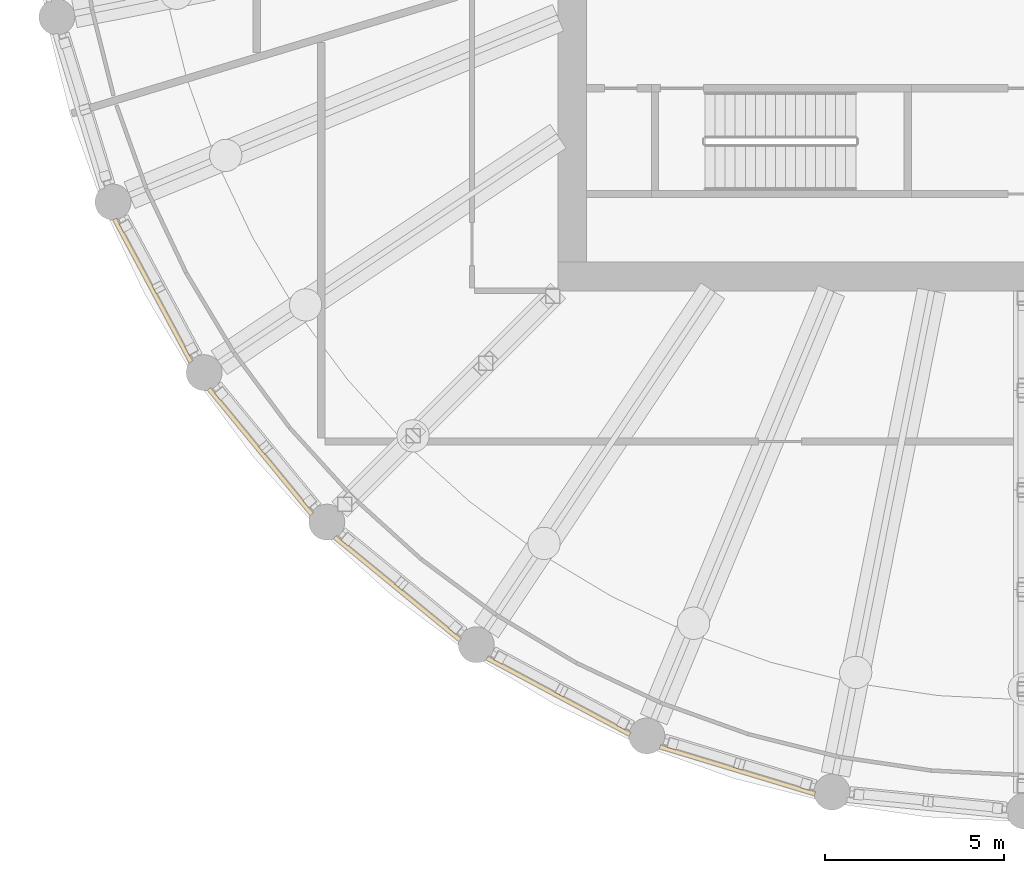
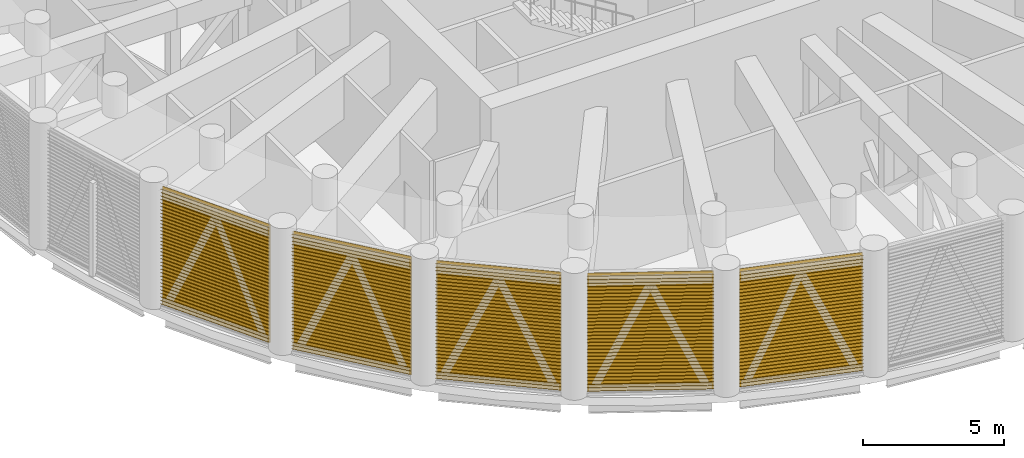
# One storey, part 17 of 24: 5 shading devices, 5 elements without a shape of their own.
"""IFC4 building model written with IfcOpenShell, lengths in metres."""

import ifcopenshell
import ifcopenshell.guid

model = None  # the IFC model being written
_history = None  # IfcOwnerHistory: only IFC2X3 demands one
_inside = {}  # id of a spatial element -> (the spatial element, [elements in it])
_under = {}  # id of a project, library or spatial element -> (it, [spatial elements below it])
_declared = {}  # id of a project -> (the project, [libraries it declares])
_typed = {}  # id of a type object -> (the type object, [elements of that type])
_made_of = {}  # id of a material, layer set ... -> (it, [elements and type objects made of it])


def new_model(schema):
    """Start an empty IFC model of exactly this schema.

    Asked for "IFC4X3", IfcOpenShell would pick the latest addendum, in which some entities
    have other attributes; the version numbers below select the first issue.
    IFC2X3 requires an IfcOwnerHistory on every rooted entity: one is made here for all.
    """
    global model, _history
    if schema == "IFC4X3":
        model = ifcopenshell.file(schema_version=(4, 3, 0, 0))
    else:
        model = ifcopenshell.file(schema=schema)
    _inside.clear()
    _under.clear()
    _declared.clear()
    _typed.clear()
    _made_of.clear()
    _history = None
    if model.schema == "IFC2X3":
        org = make("IfcOrganization", Name="unknown")
        user = make(
            "IfcPersonAndOrganization",
            ThePerson=make("IfcPerson", FamilyName="unknown"),
            TheOrganization=org,
        )
        app = make(
            "IfcApplication",
            ApplicationDeveloper=org,
            Version="unknown",
            ApplicationFullName="unknown",
            ApplicationIdentifier="unknown",
        )
        _history = make(
            "IfcOwnerHistory",
            OwningUser=user,
            OwningApplication=app,
            ChangeAction="ADDED",
            CreationDate=0,
        )
    return model


def make(cls, **values):
    """One entity of the class cls with the attributes given. An attribute that is None is left unset."""
    return model.create_entity(
        cls, **{name: value for name, value in values.items() if value is not None}
    )


def rooted(cls, **values):
    """An entity with a GlobalId (a new one), such as an element, a storey or a relation."""
    return make(cls, GlobalId=ifcopenshell.guid.new(), OwnerHistory=_history, **values)


def si_unit(unit_type, name, prefix=None):
    """IfcSIUnit, for example si_unit("LENGTHUNIT", "METRE", prefix="MILLI")."""
    return make("IfcSIUnit", UnitType=unit_type, Prefix=prefix, Name=name)


def assignment(units):
    """IfcUnitAssignment: the units of a project."""
    return None if units is None else make("IfcUnitAssignment", Units=units)


def point(xyz):
    """IfcCartesianPoint."""
    return None if xyz is None else make("IfcCartesianPoint", Coordinates=xyz)


def direction(xyz):
    """IfcDirection."""
    return None if xyz is None else make("IfcDirection", DirectionRatios=xyz)


def frame(location, z_axis=None, x_axis=None):
    """IfcAxis2Placement3D, a coordinate frame: its origin and axes. An axis left out is left unset."""
    return make(
        "IfcAxis2Placement3D",
        Location=point(location),
        Axis=direction(z_axis),
        RefDirection=direction(x_axis),
    )


def origin():
    """The frame at (0, 0, 0) with its axes left unset."""
    return frame((0.0, 0.0, 0.0))


def place(relative_to, where):
    """IfcLocalPlacement: puts the frame where relative to a parent placement (None: the world)."""
    return make(
        "IfcLocalPlacement", PlacementRelTo=relative_to, RelativePlacement=where
    )


def context(
    kind, dimensions, precision=None, world=None, true_north=None, identifier=None
):
    """IfcGeometricRepresentationContext, for example the 3D "Model" context."""
    return make(
        "IfcGeometricRepresentationContext",
        ContextIdentifier=identifier,
        ContextType=kind,
        CoordinateSpaceDimension=dimensions,
        Precision=precision,
        WorldCoordinateSystem=world,
        TrueNorth=true_north,
    )


def subcontext(parent, identifier, kind, view, scale=None):
    """IfcGeometricRepresentationSubContext, for example "Body" below "Model"."""
    return make(
        "IfcGeometricRepresentationSubContext",
        ContextIdentifier=identifier,
        ContextType=kind,
        ParentContext=parent,
        TargetScale=scale,
        TargetView=view,
    )


def project(units=None, contexts=None):
    """IfcProject with its units and contexts."""
    return rooted(
        "IfcProject",
        Name="project",
        RepresentationContexts=contexts,
        UnitsInContext=assignment(units),
    )


def spatial(cls, under=None, at=None, **own):
    """A site, building, storey or space (cls), placed at a placement, below another one or the project."""
    s = rooted(cls, ObjectPlacement=at, **own)
    if under is not None:
        _under.setdefault(under.id(), (under, []))[1].append(s)
    return s


def polyline(points):
    """IfcPolyline through the points."""
    return make("IfcPolyline", Points=[point(p) for p in points])


def outline(outer, holes=None, kind="AREA"):
    """IfcArbitraryClosedProfileDef: a profile drawn as a closed curve; with holes, ...WithVoids."""
    if holes is None:
        return make("IfcArbitraryClosedProfileDef", ProfileType=kind, OuterCurve=outer)
    return make(
        "IfcArbitraryProfileDefWithVoids",
        ProfileType=kind,
        OuterCurve=outer,
        InnerCurves=holes,
    )


def extrude(swept, where, along, depth):
    """IfcExtrudedAreaSolid: the profile swept, set in the frame where, extruded along a direction by depth."""
    return make(
        "IfcExtrudedAreaSolid",
        SweptArea=swept,
        Position=where,
        ExtrudedDirection=direction(along),
        Depth=depth,
    )


def shape(context_of_items, identifier, shape_type, items):
    """IfcShapeRepresentation: the items that make up one representation, for example the "Body"."""
    return make(
        "IfcShapeRepresentation",
        ContextOfItems=context_of_items,
        RepresentationIdentifier=identifier,
        RepresentationType=shape_type,
        Items=items,
    )


def material(Name=None, Category=None):
    """IfcMaterial."""
    return make("IfcMaterial", Name=Name, Category=Category)


def material_profile(
    of_material, cross_section, Name=None, Category=None, Priority=None
):
    """IfcMaterialProfile: a cross section and its material."""
    return make(
        "IfcMaterialProfile",
        Name=Name,
        Material=of_material,
        Profile=cross_section,
        Priority=Priority,
        Category=Category,
    )


def profile_set(profiles, Name=None, composite=None):
    """IfcMaterialProfileSet."""
    return make(
        "IfcMaterialProfileSet",
        Name=Name,
        MaterialProfiles=profiles,
        CompositeProfile=composite,
    )


def made_of(thing, what):
    """Note that an element or type object is made of a material, layer set ...; save() writes the relation."""
    if what is not None:
        _made_of.setdefault(what.id(), (what, []))[1].append(thing)
    return thing


def type_object(cls, material=None, **own):
    """A type object (cls), such as IfcWallType, which elements share."""
    return made_of(rooted(cls, **own), material)


def element(
    cls,
    number,
    at=None,
    inside=None,
    cuts=None,
    type_object=None,
    material=None,
    context=None,
    identifier="Body",
    shape_type=None,
    held_by="IfcProductDefinitionShape",
    body=None,
    shapes=None,
    **own,
):
    """One element of the class cls, such as IfcWall. Its Tag is "e" and its number.

    at: its placement. inside: the storey or other place that contains it. cuts: it is an
    opening in that element (IfcRelVoidsElement). A single representation is given by context,
    identifier, shape_type and body (its items); several are given by shapes. held_by: the class
    of the entity that holds the representations. save() writes the other relations.
    """
    e = rooted(cls, Tag="e%d" % number, ObjectPlacement=at, **own)
    if body is not None:
        shapes = [shape(context, identifier, shape_type, body)]
    if shapes is not None:
        e.Representation = make(held_by, Representations=shapes)
    if inside is not None:
        _inside.setdefault(inside.id(), (inside, []))[1].append(e)
    if cuts is not None:
        rooted(
            "IfcRelVoidsElement", RelatingBuildingElement=cuts, RelatedOpeningElement=e
        )
    if type_object is not None:
        _typed.setdefault(type_object.id(), (type_object, []))[1].append(e)
    return made_of(e, material)


def aggregate(whole, parts):
    """IfcRelAggregates: a whole, such as a stair, and the parts it consists of."""
    return rooted("IfcRelAggregates", RelatingObject=whole, RelatedObjects=parts)


def save(model, path):
    """Write the relations noted so far, then the file.

    IfcRelAggregates (storeys below a building ...), IfcRelContainedInSpatialStructure (elements
    in a storey), IfcRelDefinesByType, IfcRelAssociatesMaterial and IfcRelDeclares: one each for
    every whole, place, type object, material and project.
    """
    for whole, parts in _under.values():
        aggregate(whole, parts)
    for where, things in _inside.values():
        rooted(
            "IfcRelContainedInSpatialStructure",
            RelatedElements=things,
            RelatingStructure=where,
        )
    for kind, things in _typed.values():
        rooted("IfcRelDefinesByType", RelatedObjects=things, RelatingType=kind)
    for what, things in _made_of.values():
        rooted("IfcRelAssociatesMaterial", RelatedObjects=things, RelatingMaterial=what)
    for by, libraries in _declared.values():
        rooted("IfcRelDeclares", RelatingContext=by, RelatedDefinitions=libraries)
    model.write(path)


model = new_model("IFC4")

# Units and contexts
model_context = context("Model", 3, precision=1e-05, world=origin(), true_north=direction((0.0, 1.0)))
body_context = subcontext(model_context, "Body", "Model", "MODEL_VIEW")
ifc_project = project(units=[si_unit("LENGTHUNIT", "METRE"), si_unit("AREAUNIT", "SQUARE_METRE"), si_unit("VOLUMEUNIT", "CUBIC_METRE"), si_unit("PLANEANGLEUNIT", "RADIAN"), si_unit("MASSUNIT", "GRAM", prefix="KILO")], contexts=[model_context])

# Site, building, storey
site_placement = place(None, origin())
site = spatial("IfcSite", under=ifc_project, at=site_placement, CompositionType="ELEMENT")
building_placement = place(site_placement, origin())
building = spatial("IfcBuilding", under=site, at=building_placement, Name="Corvane Civic Tower", CompositionType="ELEMENT")
storey_placement = place(building_placement, frame((0.0, 0.0, 257.5)))
storey = spatial("IfcBuildingStorey", under=building, at=storey_placement, Name="L61", CompositionType="ELEMENT", Elevation=257.5)

# Curtain wall, shading device
ifc_material_1 = material(Name="Anodised aluminium bronze", Category="aluminium")
curtain_wall_type = type_object("IfcCurtainWallType", Name="TOWER CW-LV LOUVRE SCREEN WALL", PredefinedType="NOTDEFINED", material=ifc_material_1)
curtain_wall_1_placement = place(storey_placement, origin())
curtain_wall_1 = element("IfcCurtainWall", 1, at=curtain_wall_1_placement, inside=storey, type_object=curtain_wall_type, Name="Louvre screen wall CW-LV L61 bay 18", PredefinedType="NOTDEFINED")
ifc_material_2 = material(Name="Anodised aluminium bronze", Category="aluminium")
ifc_material_profile = material_profile(ifc_material_2, outline(polyline([(-0.06005859375, -2.56494140625), (-0.0400390625, -2.56494140625), (0.06005859375, -2.492919921875), (0.06005859375, -2.472900390625), (-0.0400390625, -2.544921875), (-0.0400390625, -2.4140625), (0.06005859375, -2.342041015625), (0.06005859375, -2.322021484375), (-0.0400390625, -2.39404296875), (-0.0400390625, -2.26318359375), (0.06005859375, -2.191162109375), (0.06005859375, -2.171142578125), (-0.0400390625, -2.2431640625), (-0.0400390625, -2.1123046875), (0.06005859375, -2.040283203125), (0.06005859375, -2.0205078125), (-0.0400390625, -2.09228515625), (-0.0400390625, -1.96142578125), (0.06005859375, -1.889404296875), (0.06005859375, -1.869384765625), (-0.0400390625, -1.94140625), (-0.0400390625, -1.810546875), (0.06005859375, -1.738525390625), (0.06005859375, -1.718505859375), (-0.0400390625, -1.79052734375), (-0.0400390625, -1.65966796875), (0.06005859375, -1.587646484375), (0.06005859375, -1.567626953125), (-0.0400390625, -1.6396484375), (-0.0400390625, -1.5087890625), (0.06005859375, -1.436767578125), (0.06005859375, -1.416748046875), (-0.0400390625, -1.48876953125), (-0.0400390625, -1.35791015625), (0.06005859375, -1.285888671875), (0.06005859375, -1.265869140625), (-0.0400390625, -1.337890625), (-0.0400390625, -1.20703125), (0.06005859375, -1.135009765625), (0.06005859375, -1.114990234375), (-0.0400390625, -1.18701171875), (-0.0400390625, -1.05615234375), (0.06005859375, -0.984130859375), (0.06005859375, -0.964111328125), (-0.0400390625, -1.0361328125), (-0.0400390625, -0.9052734375), (0.06005859375, -0.833251953125), (0.06005859375, -0.813232421875), (-0.0400390625, -0.88525390625), (-0.0400390625, -0.75439453125), (0.06005859375, -0.682373046875), (0.06005859375, -0.662353515625), (-0.0400390625, -0.734375), (-0.0400390625, -0.603515625), (0.06005859375, -0.531494140625), (0.06005859375, -0.511474609375), (-0.0400390625, -0.58349609375), (-0.0400390625, -0.45263671875), (0.06005859375, -0.380615234375), (0.06005859375, -0.360595703125), (-0.0400390625, -0.4326171875), (-0.0400390625, -0.3017578125), (0.06005859375, -0.229736328125), (0.06005859375, -0.209716796875), (-0.0400390625, -0.28173828125), (-0.0400390625, -0.15087890625), (0.06005859375, -0.078857421875), (0.06005859375, -0.058837890625), (-0.0400390625, -0.130859375), (-0.0400390625, 0.0), (0.06005859375, 0.072021484375), (0.06005859375, 0.092041015625), (-0.0400390625, 0.02001953125), (-0.0400390625, 0.15087890625), (0.06005859375, 0.222900390625), (0.06005859375, 0.242919921875), (-0.0400390625, 0.1708984375), (-0.0400390625, 0.3017578125), (0.06005859375, 0.373779296875), (0.06005859375, 0.393798828125), (-0.0400390625, 0.32177734375), (-0.0400390625, 0.45263671875), (0.06005859375, 0.524658203125), (0.06005859375, 0.544677734375), (-0.0400390625, 0.47265625), (-0.0400390625, 0.603515625), (0.06005859375, 0.675537109375), (0.06005859375, 0.695556640625), (-0.0400390625, 0.62353515625), (-0.0400390625, 0.75439453125), (0.06005859375, 0.826416015625), (0.06005859375, 0.846435546875), (-0.0400390625, 0.7744140625), (-0.0400390625, 0.9052734375), (0.06005859375, 0.977294921875), (0.06005859375, 0.997314453125), (-0.0400390625, 0.92529296875), (-0.0400390625, 1.05615234375), (0.06005859375, 1.128173828125), (0.06005859375, 1.148193359375), (-0.0400390625, 1.076171875), (-0.0400390625, 1.20703125), (0.06005859375, 1.279052734375), (0.06005859375, 1.299072265625), (-0.0400390625, 1.22705078125), (-0.0400390625, 1.35791015625), (0.06005859375, 1.429931640625), (0.06005859375, 1.449951171875), (-0.0400390625, 1.3779296875), (-0.0400390625, 1.5087890625), (0.06005859375, 1.580810546875), (0.06005859375, 1.600830078125), (-0.0400390625, 1.52880859375), (-0.0400390625, 1.65966796875), (0.06005859375, 1.731689453125), (0.06005859375, 1.751708984375), (-0.0400390625, 1.6796875), (-0.0400390625, 1.810546875), (0.06005859375, 1.882568359375), (0.06005859375, 1.902587890625), (-0.0400390625, 1.83056640625), (-0.0400390625, 1.96142578125), (0.06005859375, 2.033447265625), (0.06005859375, 2.053466796875), (-0.0400390625, 1.9814453125), (-0.0400390625, 2.1123046875), (0.06005859375, 2.184326171875), (0.06005859375, 2.204345703125), (-0.0400390625, 2.13232421875), (-0.0400390625, 2.26318359375), (0.06005859375, 2.335205078125), (0.06005859375, 2.355224609375), (-0.0400390625, 2.283203125), (-0.0400390625, 2.4140625), (0.06005859375, 2.486083984375), (0.06005859375, 2.506103515625), (-0.0400390625, 2.43408203125), (-0.0400390625, 2.56494140625), (-0.06005859375, 2.56494140625), (-0.06005859375, -2.56494140625)])), Name="TOWER LOUVRE BANK 5130 BRONZE")
ifc_profile_set = profile_set([ifc_material_profile], Name="Anodised aluminium bronze")
shading_device_type = type_object("IfcShadingDeviceType", Name="TOWER LOUVRE BANK 5130 BRONZE", PredefinedType="USERDEFINED", material=ifc_profile_set)
shading_device_1_placement = place(storey_placement, frame((-5.8349609375, -27.016357421875, 2.68505859375), z_axis=(-0.956941182173, 0.2902818869, 0.0), x_axis=(-0.2902818869, -0.956941182173, 0.0)))
shading_device_1 = element("IfcShadingDevice", 2, at=shading_device_1_placement, type_object=shading_device_type, Name="Louvre bank L61 18.1", ObjectType="LOUVRE", PredefinedType="USERDEFINED", context=body_context, shape_type="SweptSolid", body=[
    extrude(outline(polyline([(-0.06005859375, -2.56494140625), (-0.0400390625, -2.56494140625), (0.06005859375, -2.492919921875), (0.06005859375, -2.472900390625), (-0.0400390625, -2.544921875), (-0.0400390625, -2.4140625), (0.06005859375, -2.342041015625), (0.06005859375, -2.322021484375), (-0.0400390625, -2.39404296875), (-0.0400390625, -2.26318359375), (0.06005859375, -2.191162109375), (0.06005859375, -2.171142578125), (-0.0400390625, -2.2431640625), (-0.0400390625, -2.1123046875), (0.06005859375, -2.040283203125), (0.06005859375, -2.0205078125), (-0.0400390625, -2.09228515625), (-0.0400390625, -1.96142578125), (0.06005859375, -1.889404296875), (0.06005859375, -1.869384765625), (-0.0400390625, -1.94140625), (-0.0400390625, -1.810546875), (0.06005859375, -1.738525390625), (0.06005859375, -1.718505859375), (-0.0400390625, -1.79052734375), (-0.0400390625, -1.65966796875), (0.06005859375, -1.587646484375), (0.06005859375, -1.567626953125), (-0.0400390625, -1.6396484375), (-0.0400390625, -1.5087890625), (0.06005859375, -1.436767578125), (0.06005859375, -1.416748046875), (-0.0400390625, -1.48876953125), (-0.0400390625, -1.35791015625), (0.06005859375, -1.285888671875), (0.06005859375, -1.265869140625), (-0.0400390625, -1.337890625), (-0.0400390625, -1.20703125), (0.06005859375, -1.135009765625), (0.06005859375, -1.114990234375), (-0.0400390625, -1.18701171875), (-0.0400390625, -1.05615234375), (0.06005859375, -0.984130859375), (0.06005859375, -0.964111328125), (-0.0400390625, -1.0361328125), (-0.0400390625, -0.9052734375), (0.06005859375, -0.833251953125), (0.06005859375, -0.813232421875), (-0.0400390625, -0.88525390625), (-0.0400390625, -0.75439453125), (0.06005859375, -0.682373046875), (0.06005859375, -0.662353515625), (-0.0400390625, -0.734375), (-0.0400390625, -0.603515625), (0.06005859375, -0.531494140625), (0.06005859375, -0.511474609375), (-0.0400390625, -0.58349609375), (-0.0400390625, -0.45263671875), (0.06005859375, -0.380615234375), (0.06005859375, -0.360595703125), (-0.0400390625, -0.4326171875), (-0.0400390625, -0.3017578125), (0.06005859375, -0.229736328125), (0.06005859375, -0.209716796875), (-0.0400390625, -0.28173828125), (-0.0400390625, -0.15087890625), (0.06005859375, -0.078857421875), (0.06005859375, -0.058837890625), (-0.0400390625, -0.130859375), (-0.0400390625, 0.0), (0.06005859375, 0.072021484375), (0.06005859375, 0.092041015625), (-0.0400390625, 0.02001953125), (-0.0400390625, 0.15087890625), (0.06005859375, 0.222900390625), (0.06005859375, 0.242919921875), (-0.0400390625, 0.1708984375), (-0.0400390625, 0.3017578125), (0.06005859375, 0.373779296875), (0.06005859375, 0.393798828125), (-0.0400390625, 0.32177734375), (-0.0400390625, 0.45263671875), (0.06005859375, 0.524658203125), (0.06005859375, 0.544677734375), (-0.0400390625, 0.47265625), (-0.0400390625, 0.603515625), (0.06005859375, 0.675537109375), (0.06005859375, 0.695556640625), (-0.0400390625, 0.62353515625), (-0.0400390625, 0.75439453125), (0.06005859375, 0.826416015625), (0.06005859375, 0.846435546875), (-0.0400390625, 0.7744140625), (-0.0400390625, 0.9052734375), (0.06005859375, 0.977294921875), (0.06005859375, 0.997314453125), (-0.0400390625, 0.92529296875), (-0.0400390625, 1.05615234375), (0.06005859375, 1.128173828125), (0.06005859375, 1.148193359375), (-0.0400390625, 1.076171875), (-0.0400390625, 1.20703125), (0.06005859375, 1.279052734375), (0.06005859375, 1.299072265625), (-0.0400390625, 1.22705078125), (-0.0400390625, 1.35791015625), (0.06005859375, 1.429931640625), (0.06005859375, 1.449951171875), (-0.0400390625, 1.3779296875), (-0.0400390625, 1.5087890625), (0.06005859375, 1.580810546875), (0.06005859375, 1.600830078125), (-0.0400390625, 1.52880859375), (-0.0400390625, 1.65966796875), (0.06005859375, 1.731689453125), (0.06005859375, 1.751708984375), (-0.0400390625, 1.6796875), (-0.0400390625, 1.810546875), (0.06005859375, 1.882568359375), (0.06005859375, 1.902587890625), (-0.0400390625, 1.83056640625), (-0.0400390625, 1.96142578125), (0.06005859375, 2.033447265625), (0.06005859375, 2.053466796875), (-0.0400390625, 1.9814453125), (-0.0400390625, 2.1123046875), (0.06005859375, 2.184326171875), (0.06005859375, 2.204345703125), (-0.0400390625, 2.13232421875), (-0.0400390625, 2.26318359375), (0.06005859375, 2.335205078125), (0.06005859375, 2.355224609375), (-0.0400390625, 2.283203125), (-0.0400390625, 2.4140625), (0.06005859375, 2.486083984375), (0.06005859375, 2.506103515625), (-0.0400390625, 2.43408203125), (-0.0400390625, 2.56494140625), (-0.06005859375, 2.56494140625), (-0.06005859375, -2.56494140625)])), origin(), (0.0, 0.0, 1.0), 4.517333984375),
])
aggregate(curtain_wall_1, [shading_device_1])

curtain_wall_2_placement = place(storey_placement, origin())
curtain_wall_2 = element("IfcCurtainWall", 3, at=curtain_wall_2_placement, inside=storey, type_object=curtain_wall_type, Name="Louvre screen wall CW-LV L61 bay 19", PredefinedType="NOTDEFINED")
shading_device_2_placement = place(storey_placement, frame((-10.993408203125, -25.35888671875, 2.68505859375), z_axis=(-0.881924695689, 0.471390317183, 0.0), x_axis=(-0.471390317183, -0.881924695689, 0.0)))
shading_device_2 = element("IfcShadingDevice", 4, at=shading_device_2_placement, type_object=shading_device_type, Name="Louvre bank L61 19.1", ObjectType="LOUVRE", PredefinedType="USERDEFINED", context=body_context, shape_type="SweptSolid", body=[
    extrude(outline(polyline([(-0.06005859375, -2.56494140625), (-0.0400390625, -2.56494140625), (0.06005859375, -2.492919921875), (0.06005859375, -2.472900390625), (-0.0400390625, -2.544921875), (-0.0400390625, -2.4140625), (0.06005859375, -2.342041015625), (0.06005859375, -2.322021484375), (-0.0400390625, -2.39404296875), (-0.0400390625, -2.26318359375), (0.06005859375, -2.191162109375), (0.06005859375, -2.171142578125), (-0.0400390625, -2.2431640625), (-0.0400390625, -2.1123046875), (0.06005859375, -2.040283203125), (0.06005859375, -2.0205078125), (-0.0400390625, -2.09228515625), (-0.0400390625, -1.96142578125), (0.06005859375, -1.889404296875), (0.06005859375, -1.869384765625), (-0.0400390625, -1.94140625), (-0.0400390625, -1.810546875), (0.06005859375, -1.738525390625), (0.06005859375, -1.718505859375), (-0.0400390625, -1.79052734375), (-0.0400390625, -1.65966796875), (0.06005859375, -1.587646484375), (0.06005859375, -1.567626953125), (-0.0400390625, -1.6396484375), (-0.0400390625, -1.5087890625), (0.06005859375, -1.436767578125), (0.06005859375, -1.416748046875), (-0.0400390625, -1.48876953125), (-0.0400390625, -1.35791015625), (0.06005859375, -1.285888671875), (0.06005859375, -1.265869140625), (-0.0400390625, -1.337890625), (-0.0400390625, -1.20703125), (0.06005859375, -1.135009765625), (0.06005859375, -1.114990234375), (-0.0400390625, -1.18701171875), (-0.0400390625, -1.05615234375), (0.06005859375, -0.984130859375), (0.06005859375, -0.964111328125), (-0.0400390625, -1.0361328125), (-0.0400390625, -0.9052734375), (0.06005859375, -0.833251953125), (0.06005859375, -0.813232421875), (-0.0400390625, -0.88525390625), (-0.0400390625, -0.75439453125), (0.06005859375, -0.682373046875), (0.06005859375, -0.662353515625), (-0.0400390625, -0.734375), (-0.0400390625, -0.603515625), (0.06005859375, -0.531494140625), (0.06005859375, -0.511474609375), (-0.0400390625, -0.58349609375), (-0.0400390625, -0.45263671875), (0.06005859375, -0.380615234375), (0.06005859375, -0.360595703125), (-0.0400390625, -0.4326171875), (-0.0400390625, -0.3017578125), (0.06005859375, -0.229736328125), (0.06005859375, -0.209716796875), (-0.0400390625, -0.28173828125), (-0.0400390625, -0.15087890625), (0.06005859375, -0.078857421875), (0.06005859375, -0.058837890625), (-0.0400390625, -0.130859375), (-0.0400390625, 0.0), (0.06005859375, 0.072021484375), (0.06005859375, 0.092041015625), (-0.0400390625, 0.02001953125), (-0.0400390625, 0.15087890625), (0.06005859375, 0.222900390625), (0.06005859375, 0.242919921875), (-0.0400390625, 0.1708984375), (-0.0400390625, 0.3017578125), (0.06005859375, 0.373779296875), (0.06005859375, 0.393798828125), (-0.0400390625, 0.32177734375), (-0.0400390625, 0.45263671875), (0.06005859375, 0.524658203125), (0.06005859375, 0.544677734375), (-0.0400390625, 0.47265625), (-0.0400390625, 0.603515625), (0.06005859375, 0.675537109375), (0.06005859375, 0.695556640625), (-0.0400390625, 0.62353515625), (-0.0400390625, 0.75439453125), (0.06005859375, 0.826416015625), (0.06005859375, 0.846435546875), (-0.0400390625, 0.7744140625), (-0.0400390625, 0.9052734375), (0.06005859375, 0.977294921875), (0.06005859375, 0.997314453125), (-0.0400390625, 0.92529296875), (-0.0400390625, 1.05615234375), (0.06005859375, 1.128173828125), (0.06005859375, 1.148193359375), (-0.0400390625, 1.076171875), (-0.0400390625, 1.20703125), (0.06005859375, 1.279052734375), (0.06005859375, 1.299072265625), (-0.0400390625, 1.22705078125), (-0.0400390625, 1.35791015625), (0.06005859375, 1.429931640625), (0.06005859375, 1.449951171875), (-0.0400390625, 1.3779296875), (-0.0400390625, 1.5087890625), (0.06005859375, 1.580810546875), (0.06005859375, 1.600830078125), (-0.0400390625, 1.52880859375), (-0.0400390625, 1.65966796875), (0.06005859375, 1.731689453125), (0.06005859375, 1.751708984375), (-0.0400390625, 1.6796875), (-0.0400390625, 1.810546875), (0.06005859375, 1.882568359375), (0.06005859375, 1.902587890625), (-0.0400390625, 1.83056640625), (-0.0400390625, 1.96142578125), (0.06005859375, 2.033447265625), (0.06005859375, 2.053466796875), (-0.0400390625, 1.9814453125), (-0.0400390625, 2.1123046875), (0.06005859375, 2.184326171875), (0.06005859375, 2.204345703125), (-0.0400390625, 2.13232421875), (-0.0400390625, 2.26318359375), (0.06005859375, 2.335205078125), (0.06005859375, 2.355224609375), (-0.0400390625, 2.283203125), (-0.0400390625, 2.4140625), (0.06005859375, 2.486083984375), (0.06005859375, 2.506103515625), (-0.0400390625, 2.43408203125), (-0.0400390625, 2.56494140625), (-0.06005859375, 2.56494140625), (-0.06005859375, -2.56494140625)])), origin(), (0.0, 0.0, 1.0), 4.517333984375),
])
aggregate(curtain_wall_2, [shading_device_2])

curtain_wall_3_placement = place(storey_placement, origin())
curtain_wall_3 = element("IfcCurtainWall", 5, at=curtain_wall_3_placement, inside=storey, type_object=curtain_wall_type, Name="Louvre screen wall CW-LV L61 bay 20", PredefinedType="NOTDEFINED")
shading_device_3_placement = place(storey_placement, frame((-15.7294921875, -22.726806640625, 2.68505859375), z_axis=(-0.773014925698, 0.634387834569, 0.0), x_axis=(-0.634387834569, -0.773014925698, 0.0)))
shading_device_3 = element("IfcShadingDevice", 6, at=shading_device_3_placement, type_object=shading_device_type, Name="Louvre bank L61 20.1", ObjectType="LOUVRE", PredefinedType="USERDEFINED", context=body_context, shape_type="SweptSolid", body=[
    extrude(outline(polyline([(-0.06005859375, -2.56494140625), (-0.0400390625, -2.56494140625), (0.06005859375, -2.492919921875), (0.06005859375, -2.472900390625), (-0.0400390625, -2.544921875), (-0.0400390625, -2.4140625), (0.06005859375, -2.342041015625), (0.06005859375, -2.322021484375), (-0.0400390625, -2.39404296875), (-0.0400390625, -2.26318359375), (0.06005859375, -2.191162109375), (0.06005859375, -2.171142578125), (-0.0400390625, -2.2431640625), (-0.0400390625, -2.1123046875), (0.06005859375, -2.040283203125), (0.06005859375, -2.0205078125), (-0.0400390625, -2.09228515625), (-0.0400390625, -1.96142578125), (0.06005859375, -1.889404296875), (0.06005859375, -1.869384765625), (-0.0400390625, -1.94140625), (-0.0400390625, -1.810546875), (0.06005859375, -1.738525390625), (0.06005859375, -1.718505859375), (-0.0400390625, -1.79052734375), (-0.0400390625, -1.65966796875), (0.06005859375, -1.587646484375), (0.06005859375, -1.567626953125), (-0.0400390625, -1.6396484375), (-0.0400390625, -1.5087890625), (0.06005859375, -1.436767578125), (0.06005859375, -1.416748046875), (-0.0400390625, -1.48876953125), (-0.0400390625, -1.35791015625), (0.06005859375, -1.285888671875), (0.06005859375, -1.265869140625), (-0.0400390625, -1.337890625), (-0.0400390625, -1.20703125), (0.06005859375, -1.135009765625), (0.06005859375, -1.114990234375), (-0.0400390625, -1.18701171875), (-0.0400390625, -1.05615234375), (0.06005859375, -0.984130859375), (0.06005859375, -0.964111328125), (-0.0400390625, -1.0361328125), (-0.0400390625, -0.9052734375), (0.06005859375, -0.833251953125), (0.06005859375, -0.813232421875), (-0.0400390625, -0.88525390625), (-0.0400390625, -0.75439453125), (0.06005859375, -0.682373046875), (0.06005859375, -0.662353515625), (-0.0400390625, -0.734375), (-0.0400390625, -0.603515625), (0.06005859375, -0.531494140625), (0.06005859375, -0.511474609375), (-0.0400390625, -0.58349609375), (-0.0400390625, -0.45263671875), (0.06005859375, -0.380615234375), (0.06005859375, -0.360595703125), (-0.0400390625, -0.4326171875), (-0.0400390625, -0.3017578125), (0.06005859375, -0.229736328125), (0.06005859375, -0.209716796875), (-0.0400390625, -0.28173828125), (-0.0400390625, -0.15087890625), (0.06005859375, -0.078857421875), (0.06005859375, -0.058837890625), (-0.0400390625, -0.130859375), (-0.0400390625, 0.0), (0.06005859375, 0.072021484375), (0.06005859375, 0.092041015625), (-0.0400390625, 0.02001953125), (-0.0400390625, 0.15087890625), (0.06005859375, 0.222900390625), (0.06005859375, 0.242919921875), (-0.0400390625, 0.1708984375), (-0.0400390625, 0.3017578125), (0.06005859375, 0.373779296875), (0.06005859375, 0.393798828125), (-0.0400390625, 0.32177734375), (-0.0400390625, 0.45263671875), (0.06005859375, 0.524658203125), (0.06005859375, 0.544677734375), (-0.0400390625, 0.47265625), (-0.0400390625, 0.603515625), (0.06005859375, 0.675537109375), (0.06005859375, 0.695556640625), (-0.0400390625, 0.62353515625), (-0.0400390625, 0.75439453125), (0.06005859375, 0.826416015625), (0.06005859375, 0.846435546875), (-0.0400390625, 0.7744140625), (-0.0400390625, 0.9052734375), (0.06005859375, 0.977294921875), (0.06005859375, 0.997314453125), (-0.0400390625, 0.92529296875), (-0.0400390625, 1.05615234375), (0.06005859375, 1.128173828125), (0.06005859375, 1.148193359375), (-0.0400390625, 1.076171875), (-0.0400390625, 1.20703125), (0.06005859375, 1.279052734375), (0.06005859375, 1.299072265625), (-0.0400390625, 1.22705078125), (-0.0400390625, 1.35791015625), (0.06005859375, 1.429931640625), (0.06005859375, 1.449951171875), (-0.0400390625, 1.3779296875), (-0.0400390625, 1.5087890625), (0.06005859375, 1.580810546875), (0.06005859375, 1.600830078125), (-0.0400390625, 1.52880859375), (-0.0400390625, 1.65966796875), (0.06005859375, 1.731689453125), (0.06005859375, 1.751708984375), (-0.0400390625, 1.6796875), (-0.0400390625, 1.810546875), (0.06005859375, 1.882568359375), (0.06005859375, 1.902587890625), (-0.0400390625, 1.83056640625), (-0.0400390625, 1.96142578125), (0.06005859375, 2.033447265625), (0.06005859375, 2.053466796875), (-0.0400390625, 1.9814453125), (-0.0400390625, 2.1123046875), (0.06005859375, 2.184326171875), (0.06005859375, 2.204345703125), (-0.0400390625, 2.13232421875), (-0.0400390625, 2.26318359375), (0.06005859375, 2.335205078125), (0.06005859375, 2.355224609375), (-0.0400390625, 2.283203125), (-0.0400390625, 2.4140625), (0.06005859375, 2.486083984375), (0.06005859375, 2.506103515625), (-0.0400390625, 2.43408203125), (-0.0400390625, 2.56494140625), (-0.06005859375, 2.56494140625), (-0.06005859375, -2.56494140625)])), origin(), (0.0, 0.0, 1.0), 4.517333984375),
])
aggregate(curtain_wall_3, [shading_device_3])

curtain_wall_4_placement = place(storey_placement, origin())
curtain_wall_4 = element("IfcCurtainWall", 7, at=curtain_wall_4_placement, inside=storey, type_object=curtain_wall_type, Name="Louvre screen wall CW-LV L61 bay 21", PredefinedType="NOTDEFINED")
shading_device_4_placement = place(storey_placement, frame((-19.861083984375, -19.221435546875, 2.68505859375), z_axis=(-0.634387834569, 0.773014925698, 0.0), x_axis=(-0.773014925698, -0.634387834569, 0.0)))
shading_device_4 = element("IfcShadingDevice", 8, at=shading_device_4_placement, type_object=shading_device_type, Name="Louvre bank L61 21.1", ObjectType="LOUVRE", PredefinedType="USERDEFINED", context=body_context, shape_type="SweptSolid", body=[
    extrude(outline(polyline([(-0.06005859375, -2.56494140625), (-0.0400390625, -2.56494140625), (0.06005859375, -2.492919921875), (0.06005859375, -2.472900390625), (-0.0400390625, -2.544921875), (-0.0400390625, -2.4140625), (0.06005859375, -2.342041015625), (0.06005859375, -2.322021484375), (-0.0400390625, -2.39404296875), (-0.0400390625, -2.26318359375), (0.06005859375, -2.191162109375), (0.06005859375, -2.171142578125), (-0.0400390625, -2.2431640625), (-0.0400390625, -2.1123046875), (0.06005859375, -2.040283203125), (0.06005859375, -2.0205078125), (-0.0400390625, -2.09228515625), (-0.0400390625, -1.96142578125), (0.06005859375, -1.889404296875), (0.06005859375, -1.869384765625), (-0.0400390625, -1.94140625), (-0.0400390625, -1.810546875), (0.06005859375, -1.738525390625), (0.06005859375, -1.718505859375), (-0.0400390625, -1.79052734375), (-0.0400390625, -1.65966796875), (0.06005859375, -1.587646484375), (0.06005859375, -1.567626953125), (-0.0400390625, -1.6396484375), (-0.0400390625, -1.5087890625), (0.06005859375, -1.436767578125), (0.06005859375, -1.416748046875), (-0.0400390625, -1.48876953125), (-0.0400390625, -1.35791015625), (0.06005859375, -1.285888671875), (0.06005859375, -1.265869140625), (-0.0400390625, -1.337890625), (-0.0400390625, -1.20703125), (0.06005859375, -1.135009765625), (0.06005859375, -1.114990234375), (-0.0400390625, -1.18701171875), (-0.0400390625, -1.05615234375), (0.06005859375, -0.984130859375), (0.06005859375, -0.964111328125), (-0.0400390625, -1.0361328125), (-0.0400390625, -0.9052734375), (0.06005859375, -0.833251953125), (0.06005859375, -0.813232421875), (-0.0400390625, -0.88525390625), (-0.0400390625, -0.75439453125), (0.06005859375, -0.682373046875), (0.06005859375, -0.662353515625), (-0.0400390625, -0.734375), (-0.0400390625, -0.603515625), (0.06005859375, -0.531494140625), (0.06005859375, -0.511474609375), (-0.0400390625, -0.58349609375), (-0.0400390625, -0.45263671875), (0.06005859375, -0.380615234375), (0.06005859375, -0.360595703125), (-0.0400390625, -0.4326171875), (-0.0400390625, -0.3017578125), (0.06005859375, -0.229736328125), (0.06005859375, -0.209716796875), (-0.0400390625, -0.28173828125), (-0.0400390625, -0.15087890625), (0.06005859375, -0.078857421875), (0.06005859375, -0.058837890625), (-0.0400390625, -0.130859375), (-0.0400390625, 0.0), (0.06005859375, 0.072021484375), (0.06005859375, 0.092041015625), (-0.0400390625, 0.02001953125), (-0.0400390625, 0.15087890625), (0.06005859375, 0.222900390625), (0.06005859375, 0.242919921875), (-0.0400390625, 0.1708984375), (-0.0400390625, 0.3017578125), (0.06005859375, 0.373779296875), (0.06005859375, 0.393798828125), (-0.0400390625, 0.32177734375), (-0.0400390625, 0.45263671875), (0.06005859375, 0.524658203125), (0.06005859375, 0.544677734375), (-0.0400390625, 0.47265625), (-0.0400390625, 0.603515625), (0.06005859375, 0.675537109375), (0.06005859375, 0.695556640625), (-0.0400390625, 0.62353515625), (-0.0400390625, 0.75439453125), (0.06005859375, 0.826416015625), (0.06005859375, 0.846435546875), (-0.0400390625, 0.7744140625), (-0.0400390625, 0.9052734375), (0.06005859375, 0.977294921875), (0.06005859375, 0.997314453125), (-0.0400390625, 0.92529296875), (-0.0400390625, 1.05615234375), (0.06005859375, 1.128173828125), (0.06005859375, 1.148193359375), (-0.0400390625, 1.076171875), (-0.0400390625, 1.20703125), (0.06005859375, 1.279052734375), (0.06005859375, 1.299072265625), (-0.0400390625, 1.22705078125), (-0.0400390625, 1.35791015625), (0.06005859375, 1.429931640625), (0.06005859375, 1.449951171875), (-0.0400390625, 1.3779296875), (-0.0400390625, 1.5087890625), (0.06005859375, 1.580810546875), (0.06005859375, 1.600830078125), (-0.0400390625, 1.52880859375), (-0.0400390625, 1.65966796875), (0.06005859375, 1.731689453125), (0.06005859375, 1.751708984375), (-0.0400390625, 1.6796875), (-0.0400390625, 1.810546875), (0.06005859375, 1.882568359375), (0.06005859375, 1.902587890625), (-0.0400390625, 1.83056640625), (-0.0400390625, 1.96142578125), (0.06005859375, 2.033447265625), (0.06005859375, 2.053466796875), (-0.0400390625, 1.9814453125), (-0.0400390625, 2.1123046875), (0.06005859375, 2.184326171875), (0.06005859375, 2.204345703125), (-0.0400390625, 2.13232421875), (-0.0400390625, 2.26318359375), (0.06005859375, 2.335205078125), (0.06005859375, 2.355224609375), (-0.0400390625, 2.283203125), (-0.0400390625, 2.4140625), (0.06005859375, 2.486083984375), (0.06005859375, 2.506103515625), (-0.0400390625, 2.43408203125), (-0.0400390625, 2.56494140625), (-0.06005859375, 2.56494140625), (-0.06005859375, -2.56494140625)])), origin(), (0.0, 0.0, 1.0), 4.517333984375),
])
aggregate(curtain_wall_4, [shading_device_4])

curtain_wall_5_placement = place(storey_placement, origin())
curtain_wall_5 = element("IfcCurtainWall", 9, at=curtain_wall_5_placement, inside=storey, type_object=curtain_wall_type, Name="Louvre screen wall CW-LV L61 bay 22", PredefinedType="NOTDEFINED")
shading_device_5_placement = place(storey_placement, frame((-23.2294921875, -14.977294921875, 2.68505859375), z_axis=(-0.471390317183, 0.881924695689, 0.0), x_axis=(-0.881924695689, -0.471390317183, 0.0)))
shading_device_5 = element("IfcShadingDevice", 10, at=shading_device_5_placement, type_object=shading_device_type, Name="Louvre bank L61 22.1", ObjectType="LOUVRE", PredefinedType="USERDEFINED", context=body_context, shape_type="SweptSolid", body=[
    extrude(outline(polyline([(-0.06005859375, -2.56494140625), (-0.0400390625, -2.56494140625), (0.06005859375, -2.492919921875), (0.06005859375, -2.472900390625), (-0.0400390625, -2.544921875), (-0.0400390625, -2.4140625), (0.06005859375, -2.342041015625), (0.06005859375, -2.322021484375), (-0.0400390625, -2.39404296875), (-0.0400390625, -2.26318359375), (0.06005859375, -2.191162109375), (0.06005859375, -2.171142578125), (-0.0400390625, -2.2431640625), (-0.0400390625, -2.1123046875), (0.06005859375, -2.040283203125), (0.06005859375, -2.0205078125), (-0.0400390625, -2.09228515625), (-0.0400390625, -1.96142578125), (0.06005859375, -1.889404296875), (0.06005859375, -1.869384765625), (-0.0400390625, -1.94140625), (-0.0400390625, -1.810546875), (0.06005859375, -1.738525390625), (0.06005859375, -1.718505859375), (-0.0400390625, -1.79052734375), (-0.0400390625, -1.65966796875), (0.06005859375, -1.587646484375), (0.06005859375, -1.567626953125), (-0.0400390625, -1.6396484375), (-0.0400390625, -1.5087890625), (0.06005859375, -1.436767578125), (0.06005859375, -1.416748046875), (-0.0400390625, -1.48876953125), (-0.0400390625, -1.35791015625), (0.06005859375, -1.285888671875), (0.06005859375, -1.265869140625), (-0.0400390625, -1.337890625), (-0.0400390625, -1.20703125), (0.06005859375, -1.135009765625), (0.06005859375, -1.114990234375), (-0.0400390625, -1.18701171875), (-0.0400390625, -1.05615234375), (0.06005859375, -0.984130859375), (0.06005859375, -0.964111328125), (-0.0400390625, -1.0361328125), (-0.0400390625, -0.9052734375), (0.06005859375, -0.833251953125), (0.06005859375, -0.813232421875), (-0.0400390625, -0.88525390625), (-0.0400390625, -0.75439453125), (0.06005859375, -0.682373046875), (0.06005859375, -0.662353515625), (-0.0400390625, -0.734375), (-0.0400390625, -0.603515625), (0.06005859375, -0.531494140625), (0.06005859375, -0.511474609375), (-0.0400390625, -0.58349609375), (-0.0400390625, -0.45263671875), (0.06005859375, -0.380615234375), (0.06005859375, -0.360595703125), (-0.0400390625, -0.4326171875), (-0.0400390625, -0.3017578125), (0.06005859375, -0.229736328125), (0.06005859375, -0.209716796875), (-0.0400390625, -0.28173828125), (-0.0400390625, -0.15087890625), (0.06005859375, -0.078857421875), (0.06005859375, -0.058837890625), (-0.0400390625, -0.130859375), (-0.0400390625, 0.0), (0.06005859375, 0.072021484375), (0.06005859375, 0.092041015625), (-0.0400390625, 0.02001953125), (-0.0400390625, 0.15087890625), (0.06005859375, 0.222900390625), (0.06005859375, 0.242919921875), (-0.0400390625, 0.1708984375), (-0.0400390625, 0.3017578125), (0.06005859375, 0.373779296875), (0.06005859375, 0.393798828125), (-0.0400390625, 0.32177734375), (-0.0400390625, 0.45263671875), (0.06005859375, 0.524658203125), (0.06005859375, 0.544677734375), (-0.0400390625, 0.47265625), (-0.0400390625, 0.603515625), (0.06005859375, 0.675537109375), (0.06005859375, 0.695556640625), (-0.0400390625, 0.62353515625), (-0.0400390625, 0.75439453125), (0.06005859375, 0.826416015625), (0.06005859375, 0.846435546875), (-0.0400390625, 0.7744140625), (-0.0400390625, 0.9052734375), (0.06005859375, 0.977294921875), (0.06005859375, 0.997314453125), (-0.0400390625, 0.92529296875), (-0.0400390625, 1.05615234375), (0.06005859375, 1.128173828125), (0.06005859375, 1.148193359375), (-0.0400390625, 1.076171875), (-0.0400390625, 1.20703125), (0.06005859375, 1.279052734375), (0.06005859375, 1.299072265625), (-0.0400390625, 1.22705078125), (-0.0400390625, 1.35791015625), (0.06005859375, 1.429931640625), (0.06005859375, 1.449951171875), (-0.0400390625, 1.3779296875), (-0.0400390625, 1.5087890625), (0.06005859375, 1.580810546875), (0.06005859375, 1.600830078125), (-0.0400390625, 1.52880859375), (-0.0400390625, 1.65966796875), (0.06005859375, 1.731689453125), (0.06005859375, 1.751708984375), (-0.0400390625, 1.6796875), (-0.0400390625, 1.810546875), (0.06005859375, 1.882568359375), (0.06005859375, 1.902587890625), (-0.0400390625, 1.83056640625), (-0.0400390625, 1.96142578125), (0.06005859375, 2.033447265625), (0.06005859375, 2.053466796875), (-0.0400390625, 1.9814453125), (-0.0400390625, 2.1123046875), (0.06005859375, 2.184326171875), (0.06005859375, 2.204345703125), (-0.0400390625, 2.13232421875), (-0.0400390625, 2.26318359375), (0.06005859375, 2.335205078125), (0.06005859375, 2.355224609375), (-0.0400390625, 2.283203125), (-0.0400390625, 2.4140625), (0.06005859375, 2.486083984375), (0.06005859375, 2.506103515625), (-0.0400390625, 2.43408203125), (-0.0400390625, 2.56494140625), (-0.06005859375, 2.56494140625), (-0.06005859375, -2.56494140625)])), origin(), (0.0, 0.0, 1.0), 4.517333984375),
])
aggregate(curtain_wall_5, [shading_device_5])

save(model, "model.ifc")
